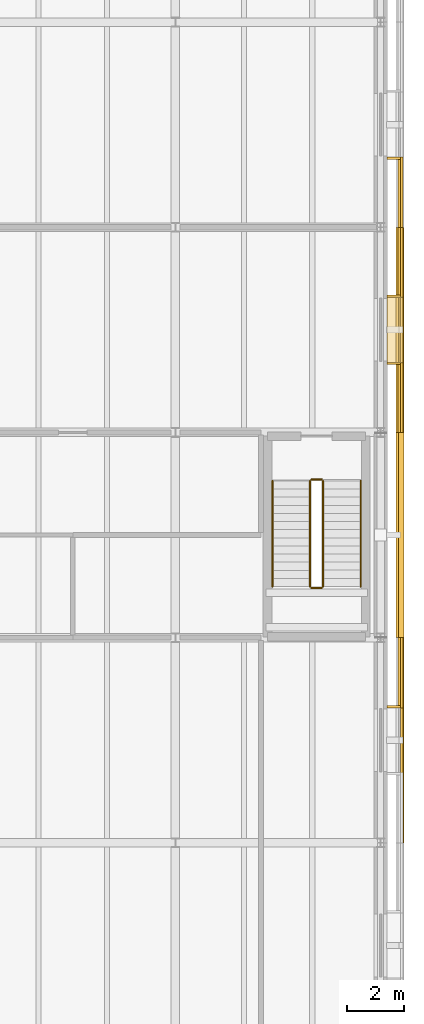
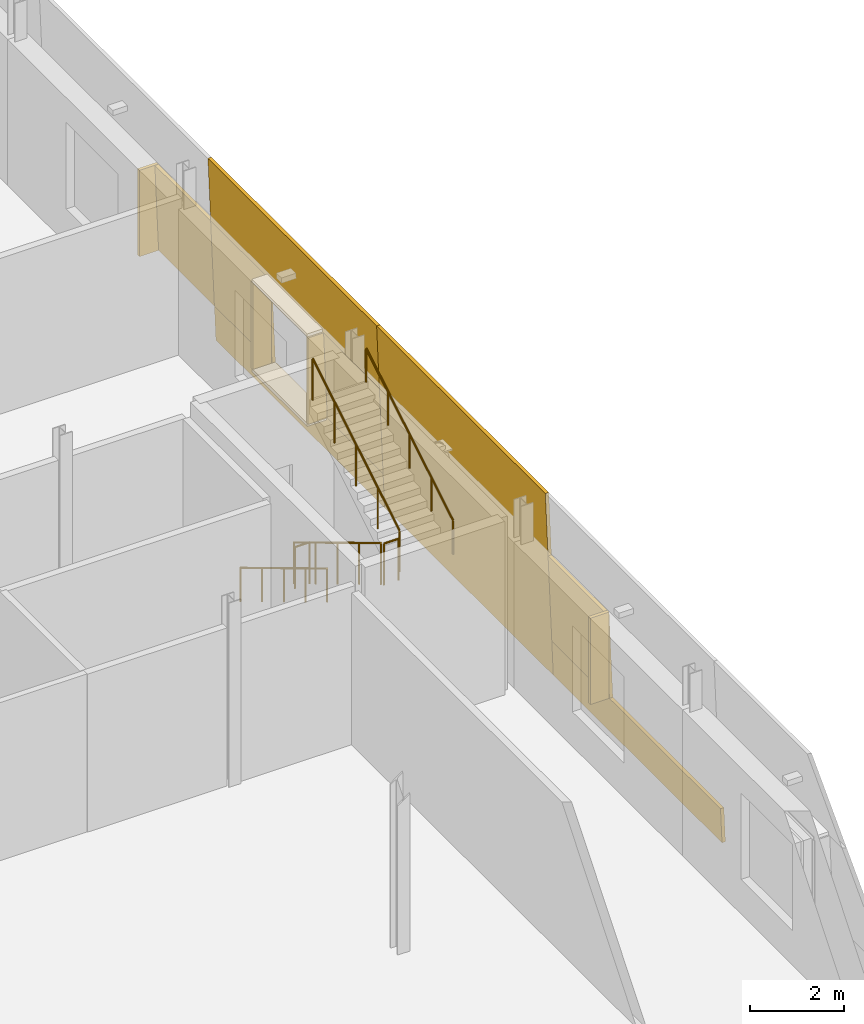
# One storey, part 117 of 121: 14 coverings, 6 railings.
"""IFC4 building model written with IfcOpenShell, lengths in metres."""

from ifc_helpers import new_model, si_unit, direction, frame, origin, origin_2d, place, context, subcontext, project, spatial, polyline, circle, outline, extrude, material, layer, layer_set, type_object, element, save


model = new_model("IFC4")

# Units and contexts
model_context = context("Model", 3, precision=1e-05, world=origin(), true_north=direction((0.0, 1.0)))
body_context = subcontext(model_context, "Body", "Model", "MODEL_VIEW")
ifc_project = project(units=[si_unit("LENGTHUNIT", "METRE"), si_unit("AREAUNIT", "SQUARE_METRE"), si_unit("VOLUMEUNIT", "CUBIC_METRE"), si_unit("PLANEANGLEUNIT", "RADIAN"), si_unit("MASSUNIT", "GRAM", prefix="KILO")], contexts=[model_context])

# Site, building, storey
site_placement = place(None, origin())
site = spatial("IfcSite", under=ifc_project, at=site_placement, CompositionType="ELEMENT")
building_placement = place(site_placement, origin())
building = spatial("IfcBuilding", under=site, at=building_placement, Name="Narikvali Park Central Library", CompositionType="ELEMENT")
storey_placement = place(building_placement, frame((0.0, 0.0, 5.39990234375)))
storey = spatial("IfcBuildingStorey", under=building, at=storey_placement, Name="L01", CompositionType="ELEMENT", Elevation=5.39990234375)

# Coverings
ifc_material_1 = material(Name="White Honed Limestone Cladding", Category="masonry")
ifc_layer_1 = layer(ifc_material_1, 0.0849609375, Name="White Honed Limestone Cladding")
ifc_layer_set_1 = layer_set([ifc_layer_1], Name="White Honed Limestone Cladding")
covering_type_1 = type_object("IfcCoveringType", Name="Battered White Limestone Facade Cladding Panel", PredefinedType="CLADDING", material=ifc_layer_set_1)
covering_1_placement = place(storey_placement, frame((166.4189453125, 7.199951171875, 0.0), z_axis=(0.999162409553, 0.0, 0.040920402453), x_axis=(0.0, 1.0, 0.0)))
element("IfcCovering", 1, at=covering_1_placement, inside=storey, type_object=covering_type_1, Name="V6 L01 E Battered Limestone Spandrel B02", PredefinedType="CLADDING", context=body_context, shape_type="SweptSolid", body=[
    extrude(outline(polyline([(0.0, 0.0), (7.199951171875, 0.0), (7.199951171875, 0.9009010705056333), (0.0, 0.9009010705056333), (0.0, 0.0)])), origin(), (0.0, 0.0, -1.0), 0.0849609375),
])
covering_2_placement = place(storey_placement, frame((166.382080078125, 11.93994140625, 0.900146484375), z_axis=(0.999164352475, 0.0, 0.040872934124), x_axis=(0.0, 1.0, 0.0)))
element("IfcCovering", 2, at=covering_2_placement, inside=storey, type_object=covering_type_1, Name="V6 L01 E Battered Limestone Jamb Pier R B02", PredefinedType="CLADDING", context=body_context, shape_type="SweptSolid", body=[
    extrude(outline(polyline([(0.0, 0.0), (2.4599609375, 0.0), (2.4599609375, 2.251881779436319), (0.0, 2.251881779436319), (0.0, 0.0)])), origin(), (0.0, 0.0, -1.0), 0.0849609375),
])
covering_3_placement = place(storey_placement, frame((166.4189453125, 14.39990234375, 0.0), z_axis=(0.9991649228, 0.0, 0.040858989773), x_axis=(0.0, 1.0, 0.0)))
element("IfcCovering", 3, at=covering_3_placement, inside=storey, type_object=covering_type_1, Name="V6 L01 E Battered Limestone Panel B03", PredefinedType="CLADDING", context=body_context, shape_type="SweptSolid", body=[
    extrude(outline(polyline([(0.0, 0.0), (7.2001953125, 0.0), (7.2001953125, 4.804060589588907), (0.0, 4.804060589588907), (0.0, 0.0)])), origin(), (0.0, 0.0, -1.0), 0.0849609375),
])
covering_4_placement = place(storey_placement, frame((166.4189453125, 21.60009765625, 0.0), z_axis=(0.999162409553, 0.0, 0.040920402453), x_axis=(0.0, 1.0, 0.0)))
element("IfcCovering", 4, at=covering_4_placement, inside=storey, type_object=covering_type_1, Name="V6 L01 E Battered Limestone Spandrel B04", PredefinedType="CLADDING", context=body_context, shape_type="SweptSolid", body=[
    extrude(outline(polyline([(0.0, 0.0), (7.199951171875, 0.0), (7.199951171875, 0.9009010705056333), (0.0, 0.9009010705056333), (0.0, 0.0)])), origin(), (0.0, 0.0, -1.0), 0.0849609375),
])
covering_5_placement = place(storey_placement, frame((166.2900390625, 21.60009765625, 3.150146484375), z_axis=(0.999167069196, 0.0, 0.040806468052), x_axis=(0.0, 1.0, 0.0)))
element("IfcCovering", 5, at=covering_5_placement, inside=storey, type_object=covering_type_1, Name="V6 L01 E Battered Limestone Lintel B04", PredefinedType="CLADDING", context=body_context, shape_type="SweptSolid", body=[
    extrude(outline(polyline([(0.0, 0.0), (7.199951171875, 0.0), (7.199951171875, 1.651277743849336), (0.0, 1.651277743849336), (0.0, 0.0)])), origin(), (0.0, 0.0, -1.0), 0.0849609375),
])
for number, where, z_axis, x_axis, name in (
    (6, (166.382080078125, 21.60009765625, 0.900146484375), (0.999164352475, 0.0, 0.040872934124), (0.0, 1.0, 0.0), "V6 L01 E Battered Limestone Jamb Pier L B04"),
    (7, (166.382080078125, 26.340087890625, 0.900146484375), (0.999164352475, 0.0, 0.040872934124), (0.0, 1.0, 0.0), "V6 L01 E Battered Limestone Jamb Pier R B04"),
    (8, (166.382080078125, 28.800048828125, 0.900146484375), (0.999164352475, 0.0, 0.040872934124), (0.0, 1.0, 0.0), "V6 L01 E Battered Limestone Jamb Pier L B05"),
):
    element("IfcCovering", number, at=place(storey_placement, frame(where, z_axis=z_axis, x_axis=x_axis)), inside=storey, type_object=covering_type_1, Name=name, PredefinedType="CLADDING", context=body_context, shape_type="SweptSolid", body=[
        extrude(outline(polyline([(0.0, 0.0), (2.4599609375, 0.0), (2.4599609375, 2.251881779436319), (0.0, 2.251881779436319), (0.0, 0.0)])), origin(), (0.0, 0.0, -1.0), 0.0849609375),
    ])
ifc_layer_2 = layer(ifc_material_1, 0.080078125, Name="White Honed Limestone Cladding")
ifc_layer_set_2 = layer_set([ifc_layer_2], Name="White Honed Limestone Cladding")
covering_type_2 = type_object("IfcCoveringType", Name="Deep Carved White Limestone Window Reveal", PredefinedType="CLADDING", material=ifc_layer_set_2)
covering_6_placement = place(storey_placement, frame((0.0, 0.0, 0.900146484375)))
element("IfcCovering", 9, at=covering_6_placement, inside=storey, type_object=covering_type_2, Name="Deep Stone Reveal Jamb R V6-RVL-L01-E-B02", PredefinedType="CLADDING", context=body_context, shape_type="SweptSolid", body=[
    extrude(outline(polyline([(165.824951171875, 11.93994140625), (165.824951171875, 12.02001953125), (166.2900390625, 12.02001953125), (166.2900390625, 11.93994140625), (165.824951171875, 11.93994140625)])), origin(), (0.0, 0.0, 1.0), 2.25),
])
covering_7_placement = place(storey_placement, frame((0.0, 0.0, 3.150146484375)))
element("IfcCovering", 10, at=covering_7_placement, inside=storey, type_object=covering_type_2, Name="Deep Stone Reveal Head V6-RVL-L01-E-B04", PredefinedType="CLADDING", context=body_context, shape_type="SweptSolid", body=[
    extrude(outline(polyline([(165.824951171875, 24.02001953125), (165.824951171875, 26.3798828125), (166.2900390625, 26.3798828125), (166.2900390625, 24.02001953125), (165.824951171875, 24.02001953125)])), origin(), (0.0, 0.0, 1.0), 0.079833984375),
])
covering_8_placement = place(storey_placement, frame((0.0, 0.0, 0.820068359375)))
element("IfcCovering", 11, at=covering_8_placement, inside=storey, type_object=covering_type_2, Name="Deep Stone Reveal Sill V6-RVL-L01-E-B04", PredefinedType="CLADDING", context=body_context, shape_type="SweptSolid", body=[
    extrude(outline(polyline([(165.824951171875, 24.02001953125), (165.824951171875, 26.3798828125), (166.382080078125, 26.3798828125), (166.382080078125, 24.02001953125), (165.824951171875, 24.02001953125)])), origin(), (0.0, 0.0, 1.0), 0.080078125),
])
covering_9_placement = place(storey_placement, frame((0.0, 0.0, 0.900146484375)))
element("IfcCovering", 12, at=covering_9_placement, inside=storey, type_object=covering_type_2, Name="Deep Stone Reveal Jamb L V6-RVL-L01-E-B04", PredefinedType="CLADDING", context=body_context, shape_type="SweptSolid", body=[
    extrude(outline(polyline([(165.824951171875, 23.97998046875), (165.824951171875, 24.06005859375), (166.2900390625, 24.06005859375), (166.2900390625, 23.97998046875), (165.824951171875, 23.97998046875)])), origin(), (0.0, 0.0, 1.0), 2.25),
])
covering_10_placement = place(storey_placement, frame((0.0, 0.0, 0.900146484375)))
element("IfcCovering", 13, at=covering_10_placement, inside=storey, type_object=covering_type_2, Name="Deep Stone Reveal Jamb R V6-RVL-L01-E-B04", PredefinedType="CLADDING", context=body_context, shape_type="SweptSolid", body=[
    extrude(outline(polyline([(165.824951171875, 26.340087890625), (165.824951171875, 26.419921875), (166.2900390625, 26.419921875), (166.2900390625, 26.340087890625), (165.824951171875, 26.340087890625)])), origin(), (0.0, 0.0, 1.0), 2.25),
])
covering_11_placement = place(storey_placement, frame((0.0, 0.0, 0.900146484375)))
element("IfcCovering", 14, at=covering_11_placement, inside=storey, type_object=covering_type_2, Name="Deep Stone Reveal Jamb L V6-RVL-L01-E-B05", PredefinedType="CLADDING", context=body_context, shape_type="SweptSolid", body=[
    extrude(outline(polyline([(165.824951171875, 31.179931640625), (165.824951171875, 31.260009765625), (166.2900390625, 31.260009765625), (166.2900390625, 31.179931640625), (165.824951171875, 31.179931640625)])), origin(), (0.0, 0.0, 1.0), 2.25),
])

# Railings
ifc_material_2 = material(Name="Brushed Stainless Steel S355", Category="steel")
ifc_layer_3 = layer(ifc_material_2, 0.044921875, Name="Brushed Stainless Steel S355")
ifc_layer_set_3 = layer_set([ifc_layer_3], Name="Brushed Stainless Steel S355")
railing_type_1 = type_object("IfcRailingType", Name="Stair Tubular Steel Handrail 900", PredefinedType="HANDRAIL", material=ifc_layer_set_3)
railing_1_placement = place(storey_placement, frame((161.800048828125, 19.89990234375, 0.171630859375)))
element("IfcRailing", 15, at=railing_1_placement, inside=storey, type_object=railing_type_1, Name="L01 ST-12 stair handrail 1", PredefinedType="HANDRAIL", context=body_context, shape_type="SweptSolid", body=[
    extrude(circle(Radius=0.02392578125, at=origin_2d()), frame((0.0, 0.0, 0.8759765625), z_axis=(0.0, -0.856919398105, 0.515450429384), x_axis=(1.0, 0.0, 0.0)), (0.0, 0.0, 1.0), 4.323486328125),
    extrude(circle(Radius=0.02099609375, at=origin_2d()), origin(), (0.0, 0.0, 1.0), 0.851806640625),
    extrude(circle(Radius=0.02099609375, at=origin_2d()), frame((0.0, -0.92626953125, 0.55712890625)), (0.0, 0.0, 1.0), 0.851806640625),
    extrude(circle(Radius=0.02099609375, at=origin_2d()), frame((0.0, -1.8525390625, 1.1142578125)), (0.0, 0.0, 1.0), 0.851806640625),
    extrude(circle(Radius=0.02099609375, at=origin_2d()), frame((0.0, -2.778564453125, 1.67138671875)), (0.0, 0.0, 1.0), 0.851806640625),
    extrude(circle(Radius=0.02099609375, at=origin_2d()), frame((0.0, -3.704833984375, 2.228515625)), (0.0, 0.0, 1.0), 0.851806640625),
])
railing_2_placement = place(storey_placement, frame((164.89990234375, 16.195068359375, 2.571533203125)))
element("IfcRailing", 16, at=railing_2_placement, inside=storey, type_object=railing_type_1, Name="L01 ST-12 stair handrail 2", PredefinedType="HANDRAIL", context=body_context, shape_type="SweptSolid", body=[
    extrude(circle(Radius=0.02392578125, at=origin_2d()), frame((0.0, 0.0, 0.8759765625), z_axis=(0.0, 0.856919398105, 0.515450429384), x_axis=(-1.0, 0.0, 0.0)), (0.0, 0.0, 1.0), 4.323486328125),
    extrude(circle(Radius=0.02099609375, at=origin_2d()), origin(), (0.0, 0.0, 1.0), 0.851806640625),
    extrude(circle(Radius=0.02099609375, at=origin_2d()), frame((0.0, 0.92626953125, 0.55712890625)), (0.0, 0.0, 1.0), 0.851806640625),
    extrude(circle(Radius=0.02099609375, at=origin_2d()), frame((0.0, 1.8525390625, 1.1142578125)), (0.0, 0.0, 1.0), 0.851806640625),
    extrude(circle(Radius=0.02099609375, at=origin_2d()), frame((0.0, 2.778564453125, 1.67138671875)), (0.0, 0.0, 1.0), 0.851806640625),
    extrude(circle(Radius=0.02099609375, at=origin_2d()), frame((0.0, 3.704833984375, 2.228515625)), (0.0, 0.0, 1.0), 0.851806640625),
])
ifc_material_3 = material(Name="Powder-Coated Steel S275", Category="steel")
ifc_layer_4 = layer(ifc_material_3, 0.050048828125, Name="Powder-Coated Steel S275")
ifc_layer_set_4 = layer_set([ifc_layer_4], Name="Powder-Coated Steel S275")
railing_type_2 = type_object("IfcRailingType", Name="Stair Well Steel Guardrail 1100", PredefinedType="GUARDRAIL", material=ifc_layer_set_4)
railing_3_placement = place(storey_placement, frame((163.1201171875, 19.89990234375, 0.171630859375)))
element("IfcRailing", 17, at=railing_3_placement, inside=storey, type_object=railing_type_2, Name="L01 ST-12 stair guard 1", PredefinedType="GUARDRAIL", context=body_context, shape_type="SweptSolid", body=[
    extrude(circle(Radius=0.02392578125, at=origin_2d()), frame((0.0, 0.0, 1.076171875), z_axis=(0.0, -0.856919398105, 0.515450429384), x_axis=(1.0, 0.0, 0.0)), (0.0, 0.0, 1.0), 4.323486328125),
    extrude(circle(Radius=0.02099609375, at=origin_2d()), origin(), (0.0, 0.0, 1.0), 1.052001953125),
    extrude(circle(Radius=0.02099609375, at=origin_2d()), frame((0.0, -0.92626953125, 0.55712890625)), (0.0, 0.0, 1.0), 1.052001953125),
    extrude(circle(Radius=0.02099609375, at=origin_2d()), frame((0.0, -1.8525390625, 1.1142578125)), (0.0, 0.0, 1.0), 1.052001953125),
    extrude(circle(Radius=0.02099609375, at=origin_2d()), frame((0.0, -2.778564453125, 1.67138671875)), (0.0, 0.0, 1.0), 1.052001953125),
    extrude(circle(Radius=0.02099609375, at=origin_2d()), frame((0.0, -3.704833984375, 2.228515625)), (0.0, 0.0, 1.0), 1.052001953125),
])
railing_4_placement = place(storey_placement, frame((163.169921875, 16.14501953125, 2.400146484375)))
element("IfcRailing", 18, at=railing_4_placement, inside=storey, type_object=railing_type_2, Name="L01 ST-12 stair guard 2", PredefinedType="GUARDRAIL", context=body_context, shape_type="SweptSolid", body=[
    extrude(circle(Radius=0.02392578125, at=origin_2d()), frame((0.0, 0.0, 1.076171875), z_axis=(1.0, 0.0, 0.0), x_axis=(0.0, 1.0, 0.0)), (0.0, 0.0, 1.0), 0.360107421875),
    extrude(circle(Radius=0.02099609375, at=origin_2d()), origin(), (0.0, 0.0, 1.0), 1.052001953125),
    extrude(circle(Radius=0.02099609375, at=origin_2d()), frame((0.360107421875, 0.0, 0.0)), (0.0, 0.0, 1.0), 1.052001953125),
])
railing_5_placement = place(storey_placement, frame((163.580078125, 16.195068359375, 2.571533203125)))
element("IfcRailing", 19, at=railing_5_placement, inside=storey, type_object=railing_type_2, Name="L01 ST-12 stair guard 3", PredefinedType="GUARDRAIL", context=body_context, shape_type="SweptSolid", body=[
    extrude(circle(Radius=0.02392578125, at=origin_2d()), frame((0.0, 0.0, 1.076171875), z_axis=(0.0, 0.856919398105, 0.515450429384), x_axis=(-1.0, 0.0, 0.0)), (0.0, 0.0, 1.0), 4.323486328125),
    extrude(circle(Radius=0.02099609375, at=origin_2d()), origin(), (0.0, 0.0, 1.0), 1.052001953125),
    extrude(circle(Radius=0.02099609375, at=origin_2d()), frame((0.0, 0.92626953125, 0.55712890625)), (0.0, 0.0, 1.0), 1.052001953125),
    extrude(circle(Radius=0.02099609375, at=origin_2d()), frame((0.0, 1.8525390625, 1.1142578125)), (0.0, 0.0, 1.0), 1.052001953125),
    extrude(circle(Radius=0.02099609375, at=origin_2d()), frame((0.0, 2.778564453125, 1.67138671875)), (0.0, 0.0, 1.0), 1.052001953125),
    extrude(circle(Radius=0.02099609375, at=origin_2d()), frame((0.0, 3.704833984375, 2.228515625)), (0.0, 0.0, 1.0), 1.052001953125),
])
railing_6_placement = place(storey_placement, frame((163.169921875, 19.949951171875, 0.0)))
element("IfcRailing", 20, at=railing_6_placement, inside=storey, type_object=railing_type_2, Name="L01 ST-12 stair guard 4", PredefinedType="GUARDRAIL", context=body_context, shape_type="SweptSolid", body=[
    extrude(circle(Radius=0.02392578125, at=origin_2d()), frame((0.0, 0.0, 1.076171875), z_axis=(1.0, 0.0, 0.0), x_axis=(0.0, 1.0, 0.0)), (0.0, 0.0, 1.0), 0.360107421875),
    extrude(circle(Radius=0.02099609375, at=origin_2d()), origin(), (0.0, 0.0, 1.0), 1.052001953125),
    extrude(circle(Radius=0.02099609375, at=origin_2d()), frame((0.360107421875, 0.0, 0.0)), (0.0, 0.0, 1.0), 1.052001953125),
])

save(model, "model.ifc")
